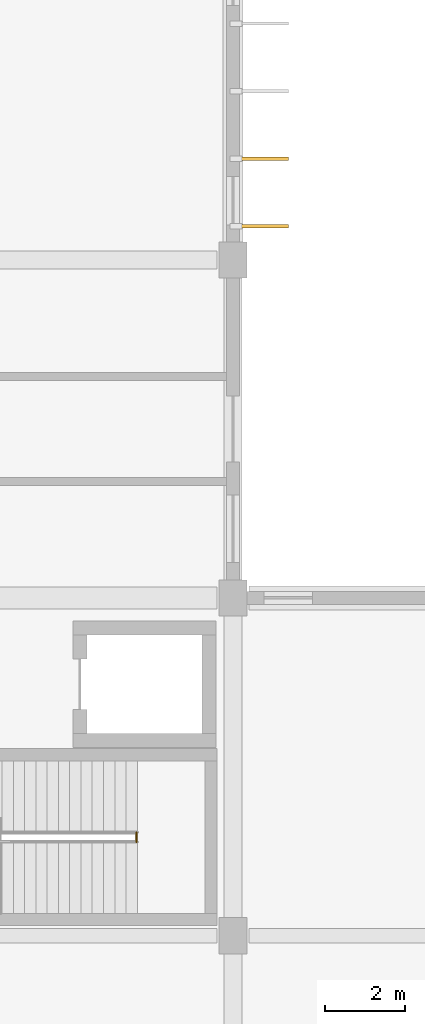
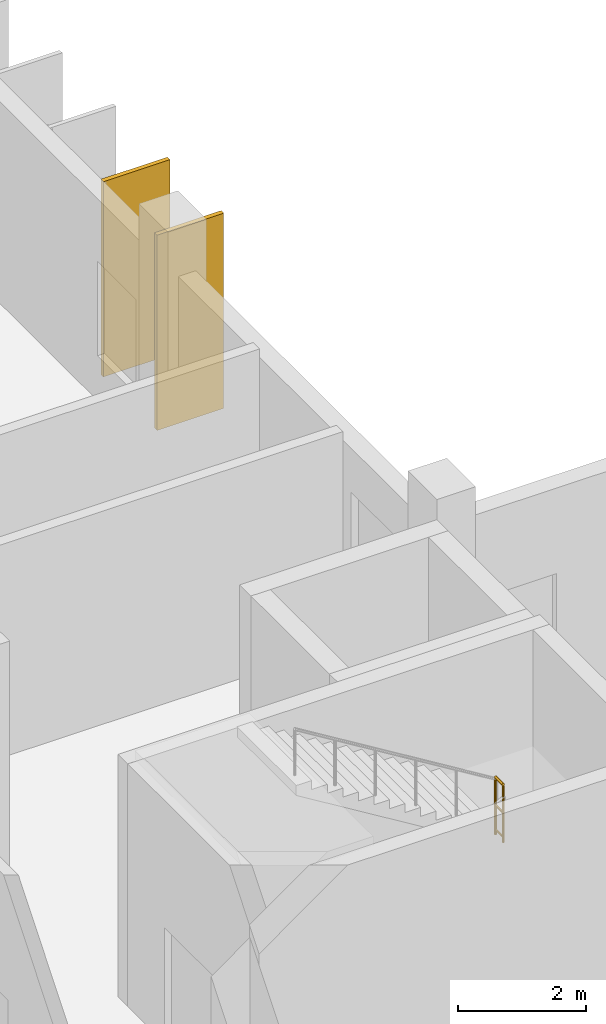
# One storey, part 91 of 95: 2 shading devices, 1 railing.
"""IFC4 building model written with IfcOpenShell, lengths in metres."""

from ifc_helpers import new_model, si_unit, direction, frame, origin, origin_2d, place, context, subcontext, project, spatial, rectangle, circle, extrude, material, material_profile, profile_set, type_object, element, save


model = new_model("IFC4")

# Units and contexts
model_context = context("Model", 3, precision=1e-05, world=origin(), true_north=direction((0.0, 1.0)))
body_context = subcontext(model_context, "Body", "Model", "MODEL_VIEW")
ifc_project = project(units=[si_unit("LENGTHUNIT", "METRE"), si_unit("AREAUNIT", "SQUARE_METRE"), si_unit("VOLUMEUNIT", "CUBIC_METRE"), si_unit("PLANEANGLEUNIT", "RADIAN"), si_unit("MASSUNIT", "GRAM", prefix="KILO")], contexts=[model_context])

# Site, building, storey
site_placement = place(None, origin())
site = spatial("IfcSite", under=ifc_project, at=site_placement, CompositionType="ELEMENT")
building_placement = place(site_placement, origin())
building = spatial("IfcBuilding", under=site, at=building_placement, Name="Vireocrest Preparatory School", CompositionType="ELEMENT")
storey_placement = place(building_placement, origin())
storey = spatial("IfcBuildingStorey", under=building, at=storey_placement, Name="L00", CompositionType="ELEMENT", Elevation=0.0)

# Railing
ifc_material_1 = material(Name="Brushed stainless steel AISI 316", Category="steel")
railing_type = type_object("IfcRailingType", Name="Post-and-Rail Guard Balustrade 1120", PredefinedType="BALUSTRADE", material=ifc_material_1)
railing_placement = place(storey_placement, frame((106.800048828125, 46.1298828125, 2.39990234375)))
element("IfcRailing", 1, at=railing_placement, inside=storey, type_object=railing_type, Name="Half-Landing Well Guard ST2-L00", PredefinedType="BALUSTRADE", context=body_context, shape_type="SweptSolid", body=[
    extrude(circle(Radius=0.02392578125, at=origin_2d()), frame((0.0, 0.0, 1.09619140625), z_axis=(0.0, 1.0, 0.0), x_axis=(-1.0, 0.0, 0.0)), (0.0, 0.0, 1.0), 0.240234375),
    extrude(circle(Radius=0.01806640625, at=origin_2d()), frame((0.0, 0.0, 0.56005859375), z_axis=(0.0, 1.0, 0.0), x_axis=(-1.0, 0.0, 0.0)), (0.0, 0.0, 1.0), 0.240234375),
    extrude(circle(Radius=0.01806640625, at=origin_2d()), frame((0.0, 0.0, 0.10009765625), z_axis=(0.0, 1.0, 0.0), x_axis=(-1.0, 0.0, 0.0)), (0.0, 0.0, 1.0), 0.240234375),
    extrude(circle(Radius=0.02099609375, at=origin_2d()), origin(), (0.0, 0.0, 1.0), 1.072021484375),
    extrude(circle(Radius=0.02099609375, at=origin_2d()), frame((0.0, 0.240234375, 0.0)), (0.0, 0.0, 1.0), 1.072021484375),
])

# Shading devices
ifc_material_2 = material(Name="Warm anodised aluminium EN AW-6063-T6", Category="aluminium")
ifc_material_profile = material_profile(ifc_material_2, rectangle(XDim=0.080078125, YDim=1.199951171875, at=origin_2d()), Name="FIN 80x1200")
ifc_profile_set = profile_set([ifc_material_profile], Name="Warm anodised aluminium EN AW-6063-T6")
shading_device_type = type_object("IfcShadingDeviceType", Name="Vertical Anodised Aluminium Solar Fin 1200", PredefinedType="USERDEFINED", material=ifc_profile_set)
for number, where, z_axis, x_axis, name in (
    (2, (109.97998046875, 61.43994140625, 0.080078125), (0.0, 0.0, 1.0), (0.0, -1.0, 0.0), "Vertical Solar Fin FN1 L00-1-1"),
    (3, (109.97998046875, 63.1201171875, 0.080078125), (0.0, 0.0, 1.0), (0.0, -1.0, 0.0), "Vertical Solar Fin FN1 L00-1-2"),
):
    element("IfcShadingDevice", number, at=place(storey_placement, frame(where, z_axis=z_axis, x_axis=x_axis)), inside=storey, type_object=shading_device_type, Name=name, ObjectType="FIN", PredefinedType="USERDEFINED", context=body_context, shape_type="SweptSolid", body=[
        extrude(rectangle(XDim=0.080078125, YDim=1.199951171875, at=origin_2d()), origin(), (0.0, 0.0, 1.0), 3.719970703125),
    ])

save(model, "model.ifc")
